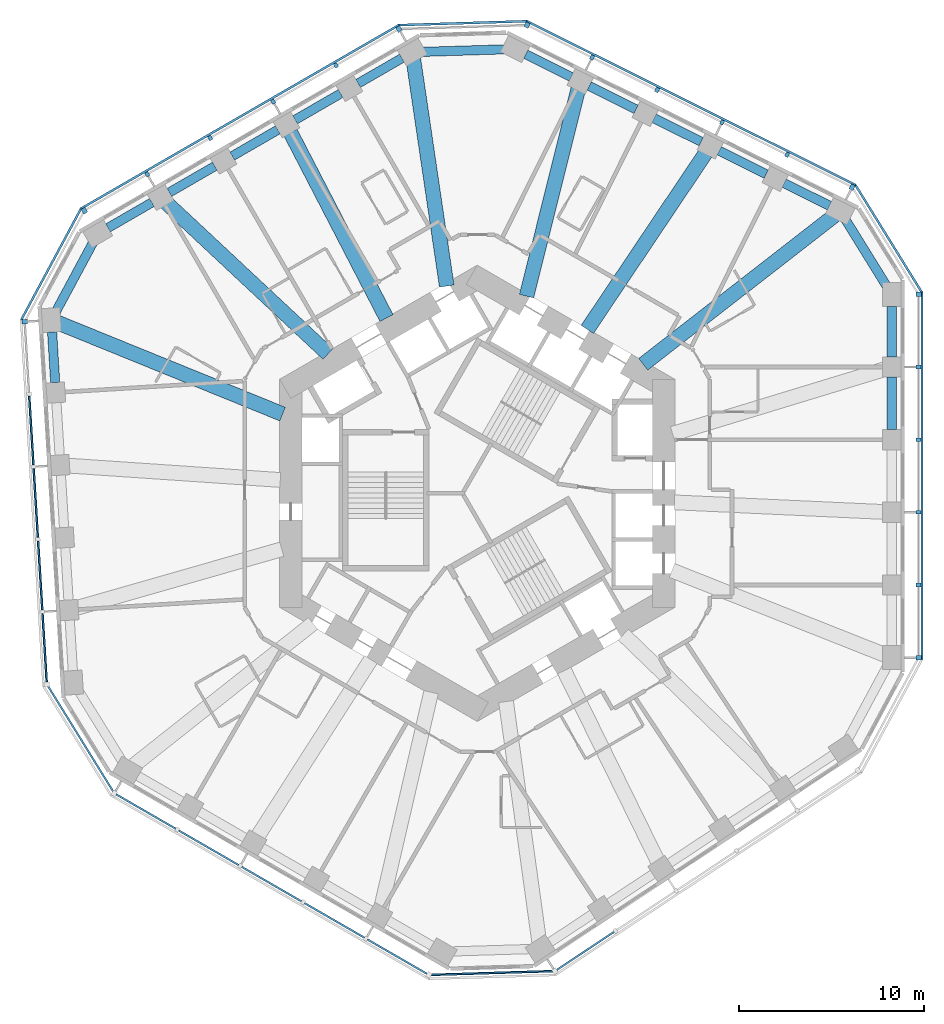
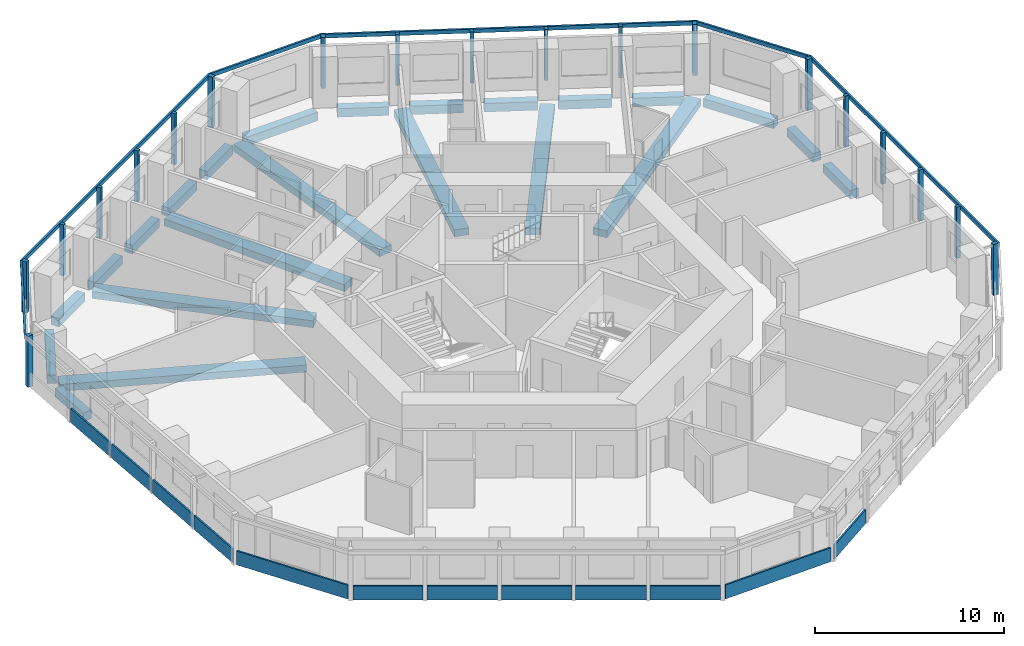
# One storey, part 2 of 12: 25 members, 23 beams, 12 plates, 11 elements without a shape of their own.
"""IFC4 building model written with IfcOpenShell, lengths in metres."""

from ifc_helpers import new_model, si_unit, direction, frame, origin, origin_2d, place, context, subcontext, project, spatial, rectangle, extrude, material, layer, layer_set, material_profile, profile_set, type_object, element, aggregate, save


model = new_model("IFC4")

# Units and contexts
model_context = context("Model", 3, precision=1e-05, world=origin(), true_north=direction((0.0, 1.0)))
body_context = subcontext(model_context, "Body", "Model", "MODEL_VIEW")
ifc_project = project(units=[si_unit("LENGTHUNIT", "METRE"), si_unit("AREAUNIT", "SQUARE_METRE"), si_unit("VOLUMEUNIT", "CUBIC_METRE"), si_unit("PLANEANGLEUNIT", "RADIAN"), si_unit("MASSUNIT", "GRAM", prefix="KILO")], contexts=[model_context])

# Site, building, storey
site_placement = place(None, origin())
site = spatial("IfcSite", under=ifc_project, at=site_placement, CompositionType="ELEMENT")
building_placement = place(site_placement, origin())
building = spatial("IfcBuilding", under=site, at=building_placement, Name="Vanh Sen Convention Tower", CompositionType="ELEMENT")
storey_placement = place(building_placement, frame((0.0, 0.0, 110.0)))
storey = spatial("IfcBuildingStorey", under=building, at=storey_placement, Name="L26", CompositionType="ELEMENT", Elevation=110.0)

# Curtain wall, members
ifc_material_1 = material(Name="Concrete C50/60", Category="concrete")
curtain_wall_type = type_object("IfcCurtainWallType", Name="Outer skin hotel zone", PredefinedType="NOTDEFINED", material=ifc_material_1)
curtain_wall_1_placement = place(storey_placement, origin())
curtain_wall_1 = element("IfcCurtainWall", 1, at=curtain_wall_1_placement, inside=storey, type_object=curtain_wall_type, Name="OUTER SKIN E L26", PredefinedType="NOTDEFINED")
ifc_material_profile_1 = material_profile(ifc_material_1, rectangle(XDim=0.25, YDim=0.300048828125, at=origin_2d()), Name="Outer skin precast corner fin 250 x 300")
ifc_profile_set_1 = profile_set([ifc_material_profile_1], Name="Concrete C50/60")
member_type_1 = type_object("IfcMemberType", Name="Outer skin precast corner fin 250 x 300", PredefinedType="MULLION", material=ifc_profile_set_1)
member_1_placement = place(storey_placement, frame((23.89990234375, -8.899169921875, 0.0), z_axis=(0.0, 0.0, 1.0), x_axis=(0.0, 1.0, 0.0)))
member_1 = element("IfcMember", 2, at=member_1_placement, type_object=member_type_1, Name="OUTER SKIN CORNER FIN 1 E L26", PredefinedType="MULLION", context=body_context, shape_type="SweptSolid", body=[
    extrude(rectangle(XDim=0.25, YDim=0.300048828125, at=origin_2d()), origin(), (0.0, 0.0, 1.0), 3.300048828125),
])
member_2_placement = place(storey_placement, frame((23.89990234375, 10.773681640625, 0.0), z_axis=(0.0, 0.0, 1.0), x_axis=(0.0, 1.0, 0.0)))
member_2 = element("IfcMember", 3, at=member_2_placement, type_object=member_type_1, Name="OUTER SKIN CORNER FIN 6 E L26", PredefinedType="MULLION", context=body_context, shape_type="SweptSolid", body=[
    extrude(rectangle(XDim=0.25, YDim=0.300048828125, at=origin_2d()), origin(), (0.0, 0.0, 1.0), 3.300048828125),
])

curtain_wall_2_placement = place(storey_placement, origin())
curtain_wall_2 = element("IfcCurtainWall", 4, at=curtain_wall_2_placement, inside=storey, type_object=curtain_wall_type, Name="OUTER SKIN NE L26", PredefinedType="NOTDEFINED")
member_3_placement = place(storey_placement, frame((20.305908203125, 16.581787109375, 0.0), z_axis=(0.0, 0.0, 1.0), x_axis=(-0.894934361602, 0.44619781311, 0.0)))
member_3 = element("IfcMember", 5, at=member_3_placement, type_object=member_type_1, Name="OUTER SKIN CORNER FIN 1 NE L26", PredefinedType="MULLION", context=body_context, shape_type="SweptSolid", body=[
    extrude(rectangle(XDim=0.25, YDim=0.300048828125, at=origin_2d()), origin(), (0.0, 0.0, 1.0), 3.300048828125),
])
member_4_placement = place(storey_placement, frame((2.699951171875, 25.35986328125, 0.0), z_axis=(0.0, 0.0, 1.0), x_axis=(-0.894934361602, 0.44619781311, 0.0)))
member_4 = element("IfcMember", 6, at=member_4_placement, type_object=member_type_1, Name="OUTER SKIN CORNER FIN 6 NE L26", PredefinedType="MULLION", context=body_context, shape_type="SweptSolid", body=[
    extrude(rectangle(XDim=0.25, YDim=0.300048828125, at=origin_2d()), origin(), (0.0, 0.0, 1.0), 3.300048828125),
])

curtain_wall_3_placement = place(storey_placement, origin())
curtain_wall_3 = element("IfcCurtainWall", 7, at=curtain_wall_3_placement, inside=storey, type_object=curtain_wall_type, Name="OUTER SKIN NW L26", PredefinedType="NOTDEFINED")
member_5_placement = place(storey_placement, frame((-4.242919921875, 25.147705078125, 0.0), z_axis=(0.0, 0.0, 1.0), x_axis=(-0.866025403784, -0.5, 0.0)))
member_5 = element("IfcMember", 8, at=member_5_placement, type_object=member_type_1, Name="OUTER SKIN CORNER FIN 1 NW L26", PredefinedType="MULLION", context=body_context, shape_type="SweptSolid", body=[
    extrude(rectangle(XDim=0.25, YDim=0.300048828125, at=origin_2d()), origin(), (0.0, 0.0, 1.0), 3.300048828125),
])
member_6_placement = place(storey_placement, frame((-21.2802734375, 15.31103515625, 0.0), z_axis=(0.0, 0.0, 1.0), x_axis=(-0.866025403784, -0.5, 0.0)))
member_6 = element("IfcMember", 9, at=member_6_placement, type_object=member_type_1, Name="OUTER SKIN CORNER FIN 6 NW L26", PredefinedType="MULLION", context=body_context, shape_type="SweptSolid", body=[
    extrude(rectangle(XDim=0.25, YDim=0.300048828125, at=origin_2d()), origin(), (0.0, 0.0, 1.0), 3.300048828125),
])

# Curtain wall, member
curtain_wall_4_placement = place(storey_placement, origin())
curtain_wall_4 = element("IfcCurtainWall", 10, at=curtain_wall_4_placement, inside=storey, type_object=curtain_wall_type, Name="OUTER SKIN W L26", PredefinedType="NOTDEFINED")
member_7_placement = place(storey_placement, frame((-24.51318359375, 9.294677734375, 0.0), z_axis=(0.0, 0.0, 1.0), x_axis=(0.061048539535, -0.998134798422, 0.0)))
member_7 = element("IfcMember", 11, at=member_7_placement, type_object=member_type_1, Name="OUTER SKIN CORNER FIN 1 W L26", PredefinedType="MULLION", context=body_context, shape_type="SweptSolid", body=[
    extrude(rectangle(XDim=0.25, YDim=0.300048828125, at=origin_2d()), origin(), (0.0, 0.0, 1.0), 3.300048828125),
])

# Member
ifc_material_profile_2 = material_profile(ifc_material_1, rectangle(XDim=0.199951171875, YDim=0.25, at=origin_2d()), Name="Outer skin precast fin 200 x 250")
ifc_profile_set_2 = profile_set([ifc_material_profile_2], Name="Concrete C50/60")
member_type_2 = type_object("IfcMemberType", Name="Outer skin precast fin 200 x 250", PredefinedType="MULLION", material=ifc_profile_set_2)
member_8_placement = place(storey_placement, frame((23.89990234375, -4.964599609375, 0.0), z_axis=(0.0, 0.0, 1.0), x_axis=(0.0, 1.0, 0.0)))
member_8 = element("IfcMember", 12, at=member_8_placement, type_object=member_type_2, Name="OUTER SKIN fin 2 E L26", PredefinedType="MULLION", context=body_context, shape_type="SweptSolid", body=[
    extrude(rectangle(XDim=0.199951171875, YDim=0.25, at=origin_2d()), origin(), (0.0, 0.0, 1.0), 3.300048828125),
])

member_9_placement = place(storey_placement, frame((23.89990234375, -1.030029296875, 0.0), z_axis=(0.0, 0.0, 1.0), x_axis=(0.0, 1.0, 0.0)))
member_9 = element("IfcMember", 13, at=member_9_placement, type_object=member_type_2, Name="OUTER SKIN fin 3 E L26", PredefinedType="MULLION", context=body_context, shape_type="SweptSolid", body=[
    extrude(rectangle(XDim=0.199951171875, YDim=0.25, at=origin_2d()), origin(), (0.0, 0.0, 1.0), 3.300048828125),
])

member_10_placement = place(storey_placement, frame((23.89990234375, 2.904541015625, 0.0), z_axis=(0.0, 0.0, 1.0), x_axis=(0.0, 1.0, 0.0)))
member_10 = element("IfcMember", 14, at=member_10_placement, type_object=member_type_2, Name="OUTER SKIN fin 4 E L26", PredefinedType="MULLION", context=body_context, shape_type="SweptSolid", body=[
    extrude(rectangle(XDim=0.199951171875, YDim=0.25, at=origin_2d()), origin(), (0.0, 0.0, 1.0), 3.300048828125),
])

member_11_placement = place(storey_placement, frame((23.89990234375, 6.839111328125, 0.0), z_axis=(0.0, 0.0, 1.0), x_axis=(0.0, 1.0, 0.0)))
member_11 = element("IfcMember", 15, at=member_11_placement, type_object=member_type_2, Name="OUTER SKIN fin 5 E L26", PredefinedType="MULLION", context=body_context, shape_type="SweptSolid", body=[
    extrude(rectangle(XDim=0.199951171875, YDim=0.25, at=origin_2d()), origin(), (0.0, 0.0, 1.0), 3.300048828125),
])

member_12_placement = place(storey_placement, frame((16.78466796875, 18.33740234375, 0.0), z_axis=(0.0, 0.0, 1.0), x_axis=(-0.894934361602, 0.44619781311, 0.0)))
member_12 = element("IfcMember", 16, at=member_12_placement, type_object=member_type_2, Name="OUTER SKIN fin 2 NE L26", PredefinedType="MULLION", context=body_context, shape_type="SweptSolid", body=[
    extrude(rectangle(XDim=0.199951171875, YDim=0.25, at=origin_2d()), origin(), (0.0, 0.0, 1.0), 3.300048828125),
])

member_13_placement = place(storey_placement, frame((13.263427734375, 20.093017578125, 0.0), z_axis=(0.0, 0.0, 1.0), x_axis=(-0.894934361602, 0.44619781311, 0.0)))
member_13 = element("IfcMember", 17, at=member_13_placement, type_object=member_type_2, Name="OUTER SKIN fin 3 NE L26", PredefinedType="MULLION", context=body_context, shape_type="SweptSolid", body=[
    extrude(rectangle(XDim=0.199951171875, YDim=0.25, at=origin_2d()), origin(), (0.0, 0.0, 1.0), 3.300048828125),
])

member_14_placement = place(storey_placement, frame((9.7421875, 21.8486328125, 0.0), z_axis=(0.0, 0.0, 1.0), x_axis=(-0.894934361602, 0.44619781311, 0.0)))
member_14 = element("IfcMember", 18, at=member_14_placement, type_object=member_type_2, Name="OUTER SKIN fin 4 NE L26", PredefinedType="MULLION", context=body_context, shape_type="SweptSolid", body=[
    extrude(rectangle(XDim=0.199951171875, YDim=0.25, at=origin_2d()), origin(), (0.0, 0.0, 1.0), 3.300048828125),
])

member_15_placement = place(storey_placement, frame((6.22119140625, 23.604248046875, 0.0), z_axis=(0.0, 0.0, 1.0), x_axis=(-0.894934361602, 0.44619781311, 0.0)))
member_15 = element("IfcMember", 19, at=member_15_placement, type_object=member_type_2, Name="OUTER SKIN fin 5 NE L26", PredefinedType="MULLION", context=body_context, shape_type="SweptSolid", body=[
    extrude(rectangle(XDim=0.199951171875, YDim=0.25, at=origin_2d()), origin(), (0.0, 0.0, 1.0), 3.300048828125),
])

member_16_placement = place(storey_placement, frame((-7.650390625, 23.180419921875, 0.0), z_axis=(0.0, 0.0, 1.0), x_axis=(-0.866025403784, -0.5, 0.0)))
member_16 = element("IfcMember", 20, at=member_16_placement, type_object=member_type_2, Name="OUTER SKIN fin 2 NW L26", PredefinedType="MULLION", context=body_context, shape_type="SweptSolid", body=[
    extrude(rectangle(XDim=0.199951171875, YDim=0.25, at=origin_2d()), origin(), (0.0, 0.0, 1.0), 3.300048828125),
])

member_17_placement = place(storey_placement, frame((-11.057861328125, 21.212890625, 0.0), z_axis=(0.0, 0.0, 1.0), x_axis=(-0.866025403784, -0.5, 0.0)))
member_17 = element("IfcMember", 21, at=member_17_placement, type_object=member_type_2, Name="OUTER SKIN fin 3 NW L26", PredefinedType="MULLION", context=body_context, shape_type="SweptSolid", body=[
    extrude(rectangle(XDim=0.199951171875, YDim=0.25, at=origin_2d()), origin(), (0.0, 0.0, 1.0), 3.300048828125),
])

member_18_placement = place(storey_placement, frame((-14.46533203125, 19.24560546875, 0.0), z_axis=(0.0, 0.0, 1.0), x_axis=(-0.866025403784, -0.5, 0.0)))
member_18 = element("IfcMember", 22, at=member_18_placement, type_object=member_type_2, Name="OUTER SKIN fin 4 NW L26", PredefinedType="MULLION", context=body_context, shape_type="SweptSolid", body=[
    extrude(rectangle(XDim=0.199951171875, YDim=0.25, at=origin_2d()), origin(), (0.0, 0.0, 1.0), 3.300048828125),
])

member_19_placement = place(storey_placement, frame((-17.872802734375, 17.2783203125, 0.0), z_axis=(0.0, 0.0, 1.0), x_axis=(-0.866025403784, -0.5, 0.0)))
member_19 = element("IfcMember", 23, at=member_19_placement, type_object=member_type_2, Name="OUTER SKIN fin 5 NW L26", PredefinedType="MULLION", context=body_context, shape_type="SweptSolid", body=[
    extrude(rectangle(XDim=0.199951171875, YDim=0.25, at=origin_2d()), origin(), (0.0, 0.0, 1.0), 3.300048828125),
])

ifc_material_profile_3 = material_profile(ifc_material_1, rectangle(XDim=0.1201171875, YDim=0.25, at=origin_2d()), Name="Outer skin precast spandrel band 250 x 120")
ifc_profile_set_3 = profile_set([ifc_material_profile_3], Name="Concrete C50/60")
member_type_3 = type_object("IfcMemberType", Name="Outer skin precast spandrel band 250 x 120", PredefinedType="USERDEFINED", material=ifc_profile_set_3)
member_20_placement = place(storey_placement, frame((24.0849609375, -9.024169921875, 3.175048828125), z_axis=(0.0, 1.0, 0.0), x_axis=(-1.0, 0.0, 0.0)))
member_20 = element("IfcMember", 24, at=member_20_placement, type_object=member_type_3, Name="OUTER SKIN spandrel band E L26", ObjectType="TRANSOM", PredefinedType="USERDEFINED", context=body_context, shape_type="SweptSolid", body=[
    extrude(rectangle(XDim=0.1201171875, YDim=0.25, at=origin_2d()), origin(), (0.0, 0.0, 1.0), 19.9228515625),
])

aggregate(curtain_wall_1, [member_1, member_8, member_9, member_10, member_11, member_2, member_20])

# Curtain wall, member
curtain_wall_5_placement = place(storey_placement, origin())
curtain_wall_5 = element("IfcCurtainWall", 25, at=curtain_wall_5_placement, inside=storey, type_object=curtain_wall_type, Name="OUTER SKIN CH1 L26", PredefinedType="NOTDEFINED")
member_21_placement = place(storey_placement, frame((24.07861328125, 10.88427734375, 3.175048828125), z_axis=(-0.526195864379, 0.850363400148, 0.0), x_axis=(-0.850363400148, -0.526195864379, 0.0)))
member_21 = element("IfcMember", 26, at=member_21_placement, type_object=member_type_3, Name="OUTER SKIN spandrel band CH1 L26", ObjectType="TRANSOM", PredefinedType="USERDEFINED", context=body_context, shape_type="SweptSolid", body=[
    extrude(rectangle(XDim=0.1201171875, YDim=0.25, at=origin_2d()), origin(), (0.0, 0.0, 1.0), 6.830078125),
])
aggregate(curtain_wall_5, [member_21])

# Member
member_22_placement = place(storey_placement, frame((20.500244140625, 16.69140625, 3.175048828125), z_axis=(-0.894931498167, 0.446203556227, 0.0), x_axis=(-0.446203556227, -0.894931498167, 0.0)))
member_22 = element("IfcMember", 27, at=member_22_placement, type_object=member_type_3, Name="OUTER SKIN spandrel band NE L26", ObjectType="TRANSOM", PredefinedType="USERDEFINED", context=body_context, shape_type="SweptSolid", body=[
    extrude(rectangle(XDim=0.1201171875, YDim=0.25, at=origin_2d()), origin(), (0.0, 0.0, 1.0), 19.9228515625),
])

aggregate(curtain_wall_2, [member_3, member_12, member_13, member_14, member_15, member_4, member_22])

# Curtain wall, member
curtain_wall_6_placement = place(storey_placement, origin())
curtain_wall_6 = element("IfcCurtainWall", 28, at=curtain_wall_6_placement, inside=storey, type_object=curtain_wall_type, Name="OUTER SKIN CH2 L26", PredefinedType="NOTDEFINED")
member_23_placement = place(storey_placement, frame((2.693603515625, 25.569580078125, 3.175048828125), z_axis=(-0.999533472857, -0.030542374483, 0.0), x_axis=(0.030542374483, -0.999533472857, 0.0)))
member_23 = element("IfcMember", 29, at=member_23_placement, type_object=member_type_3, Name="OUTER SKIN spandrel band CH2 L26", ObjectType="TRANSOM", PredefinedType="USERDEFINED", context=body_context, shape_type="SweptSolid", body=[
    extrude(rectangle(XDim=0.1201171875, YDim=0.25, at=origin_2d()), origin(), (0.0, 0.0, 1.0), 6.9462890625),
])
aggregate(curtain_wall_6, [member_23])

# Member
member_24_placement = place(storey_placement, frame((-4.227294921875, 25.370361328125, 3.175048828125), z_axis=(-0.866028047459, -0.499995420993, 0.0), x_axis=(0.499995420993, -0.866028047459, 0.0)))
member_24 = element("IfcMember", 30, at=member_24_placement, type_object=member_type_3, Name="OUTER SKIN spandrel band NW L26", ObjectType="TRANSOM", PredefinedType="USERDEFINED", context=body_context, shape_type="SweptSolid", body=[
    extrude(rectangle(XDim=0.1201171875, YDim=0.25, at=origin_2d()), origin(), (0.0, 0.0, 1.0), 19.923095703125),
])

aggregate(curtain_wall_3, [member_5, member_16, member_17, member_18, member_19, member_6, member_24])

# Curtain wall, member
curtain_wall_7_placement = place(storey_placement, origin())
curtain_wall_7 = element("IfcCurtainWall", 31, at=curtain_wall_7_placement, inside=storey, type_object=curtain_wall_type, Name="OUTER SKIN CH3 L26", PredefinedType="NOTDEFINED")
member_25_placement = place(storey_placement, frame((-21.46533203125, 15.410400390625, 3.175048828125), z_axis=(-0.473315186561, -0.880893145717, 0.0), x_axis=(0.880893145717, -0.473315186561, 0.0)))
member_25 = element("IfcMember", 32, at=member_25_placement, type_object=member_type_3, Name="OUTER SKIN spandrel band CH3 L26", ObjectType="TRANSOM", PredefinedType="USERDEFINED", context=body_context, shape_type="SweptSolid", body=[
    extrude(rectangle(XDim=0.1201171875, YDim=0.25, at=origin_2d()), origin(), (0.0, 0.0, 1.0), 6.829833984375),
])
aggregate(curtain_wall_7, [member_25])

# Beams
ifc_material_2 = material(Name="Concrete C50/60", Category="concrete")
ifc_material_profile_4 = material_profile(ifc_material_2, rectangle(XDim=0.800048828125, YDim=0.449951171875, at=origin_2d()), Name="RC 800X450")
ifc_profile_set_4 = profile_set([ifc_material_profile_4], Name="Concrete C50/60")
beam_type_1 = type_object("IfcBeamType", Name="Radial floor beam 800 x 450", PredefinedType="BEAM", material=ifc_profile_set_4)
beam_1_placement = place(storey_placement, frame((19.376708984375, 15.064697265625, -0.47509765625), z_axis=(-0.789479064473, -0.613777489616, 0.0), x_axis=(0.613777489616, -0.789479064473, 0.0)))
element("IfcBeam", 33, at=beam_1_placement, inside=storey, type_object=beam_type_1, Name="Radial beam 04 L26", PredefinedType="BEAM", context=body_context, shape_type="SweptSolid", body=[
    extrude(rectangle(XDim=0.800048828125, YDim=0.449951171875, at=origin_2d()), origin(), (0.0, 0.0, 1.0), 13.16015625),
])
beam_2_placement = place(storey_placement, frame((12.3671875, 18.423828125, -0.47509765625), z_axis=(-0.557338631, -0.830285282536, 0.0), x_axis=(0.830285282536, -0.557338631, 0.0)))
element("IfcBeam", 34, at=beam_2_placement, inside=storey, type_object=beam_type_1, Name="Radial beam 05 L26", PredefinedType="BEAM", context=body_context, shape_type="SweptSolid", body=[
    extrude(rectangle(XDim=0.800048828125, YDim=0.449951171875, at=origin_2d()), origin(), (0.0, 0.0, 1.0), 11.497314453125),
])
beam_3_placement = place(storey_placement, frame((5.47265625, 21.900390625, -0.47509765625), z_axis=(-0.242436270236, -0.97016733344, 0.0), x_axis=(0.97016733344, -0.242436270236, 0.0)))
element("IfcBeam", 35, at=beam_3_placement, inside=storey, type_object=beam_type_1, Name="Radial beam 06 L26", PredefinedType="BEAM", context=body_context, shape_type="SweptSolid", body=[
    extrude(rectangle(XDim=0.800048828125, YDim=0.449951171875, at=origin_2d()), origin(), (0.0, 0.0, 1.0), 11.563720703125),
])
beam_4_placement = place(storey_placement, frame((-3.46337890625, 23.521484375, -0.47509765625), z_axis=(0.145674386683, -0.989332589711, 0.0), x_axis=(0.989332589711, 0.145674386683, 0.0)))
element("IfcBeam", 36, at=beam_4_placement, inside=storey, type_object=beam_type_1, Name="Radial beam 07 L26", PredefinedType="BEAM", context=body_context, shape_type="SweptSolid", body=[
    extrude(rectangle(XDim=0.800048828125, YDim=0.449951171875, at=origin_2d()), origin(), (0.0, 0.0, 1.0), 12.4287109375),
])
beam_5_placement = place(storey_placement, frame((-10.113525390625, 19.53369140625, -0.47509765625), z_axis=(0.459777032111, -0.888034391644, 0.0), x_axis=(0.888034391644, 0.459777032111, 0.0)))
element("IfcBeam", 37, at=beam_5_placement, inside=storey, type_object=beam_type_1, Name="Radial beam 08 L26", PredefinedType="BEAM", context=body_context, shape_type="SweptSolid", body=[
    extrude(rectangle(XDim=0.800048828125, YDim=0.449951171875, at=origin_2d()), origin(), (0.0, 0.0, 1.0), 11.30859375),
])
beam_6_placement = place(storey_placement, frame((-16.858642578125, 15.75244140625, -0.47509765625), z_axis=(0.730678761729, -0.6827214272, 0.0), x_axis=(0.6827214272, 0.730678761729, 0.0)))
element("IfcBeam", 38, at=beam_6_placement, inside=storey, type_object=beam_type_1, Name="Radial beam 09 L26", PredefinedType="BEAM", context=body_context, shape_type="SweptSolid", body=[
    extrude(rectangle(XDim=0.800048828125, YDim=0.449951171875, at=origin_2d()), origin(), (0.0, 0.0, 1.0), 12.01416015625),
])
beam_7_placement = place(storey_placement, frame((-22.734619140625, 9.248291015625, -0.47509765625), z_axis=(0.926292218259, -0.376805953236, 0.0), x_axis=(0.376805953236, 0.926292218259, 0.0)))
element("IfcBeam", 39, at=beam_7_placement, inside=storey, type_object=beam_type_1, Name="Radial beam 10 L26", PredefinedType="BEAM", context=body_context, shape_type="SweptSolid", body=[
    extrude(rectangle(XDim=0.800048828125, YDim=0.449951171875, at=origin_2d()), origin(), (0.0, 0.0, 1.0), 13.159912109375),
])
ifc_material_profile_5 = material_profile(ifc_material_2, rectangle(XDim=0.5, YDim=0.550048828125, at=origin_2d()), Name="RC 500X550")
ifc_profile_set_5 = profile_set([ifc_material_profile_5], Name="Concrete C50/60")
beam_type_2 = type_object("IfcBeamType", Name="Spandrel beam 500 x 550", PredefinedType="SPANDREL", material=ifc_profile_set_5)
beam_8_placement = place(storey_placement, frame((22.449951171875, 3.449462890625, -0.52490234375), z_axis=(0.0, 1.0, 0.0), x_axis=(-1.0, 0.0, 0.0)))
element("IfcBeam", 40, at=beam_8_placement, inside=storey, type_object=beam_type_2, Name="Spandrel beam 04 L26", PredefinedType="SPANDREL", context=body_context, shape_type="SweptSolid", body=[
    extrude(rectangle(XDim=0.5, YDim=0.550048828125, at=origin_2d()), origin(), (0.0, 0.0, 1.0), 2.8447265625),
])
beam_9_placement = place(storey_placement, frame((22.449951171875, 7.384033203125, -0.52490234375), z_axis=(0.0, 1.0, 0.0), x_axis=(-1.0, 0.0, 0.0)))
element("IfcBeam", 41, at=beam_9_placement, inside=storey, type_object=beam_type_2, Name="Spandrel beam 05 L26", PredefinedType="SPANDREL", context=body_context, shape_type="SweptSolid", body=[
    extrude(rectangle(XDim=0.5, YDim=0.550048828125, at=origin_2d()), origin(), (0.0, 0.0, 1.0), 2.74462890625),
])
beam_10_placement = place(storey_placement, frame((22.165283203125, 11.23388671875, -0.52490234375), z_axis=(-0.526225208879, 0.850345241381, 0.0), x_axis=(-0.850345241381, -0.526225208879, 0.0)))
element("IfcBeam", 42, at=beam_10_placement, inside=storey, type_object=beam_type_2, Name="Spandrel beam 06 L26", PredefinedType="SPANDREL", context=body_context, shape_type="SweptSolid", body=[
    extrude(rectangle(XDim=0.5, YDim=0.550048828125, at=origin_2d()), origin(), (0.0, 0.0, 1.0), 4.221923828125),
])
beam_11_placement = place(storey_placement, frame((19.081787109375, 15.572021484375, -0.52490234375), z_axis=(-0.894978032936, 0.446110211229, 0.0), x_axis=(-0.446110211229, -0.894978032936, 0.0)))
element("IfcBeam", 43, at=beam_11_placement, inside=storey, type_object=beam_type_2, Name="Spandrel beam 07 L26", PredefinedType="SPANDREL", context=body_context, shape_type="SweptSolid", body=[
    extrude(rectangle(XDim=0.5, YDim=0.550048828125, at=origin_2d()), origin(), (0.0, 0.0, 1.0), 2.74462890625),
])
beam_12_placement = place(storey_placement, frame((15.64990234375, 17.282958984375, -0.52490234375), z_axis=(-0.894958709308, 0.44614897583, 0.0), x_axis=(-0.44614897583, -0.894958709308, 0.0)))
element("IfcBeam", 44, at=beam_12_placement, inside=storey, type_object=beam_type_2, Name="Spandrel beam 08 L26", PredefinedType="SPANDREL", context=body_context, shape_type="SweptSolid", body=[
    extrude(rectangle(XDim=0.5, YDim=0.550048828125, at=origin_2d()), origin(), (0.0, 0.0, 1.0), 2.844482421875),
])
for number, where, z_axis, x_axis, name in (
    (45, (12.12890625, 19.03857421875, -0.52490234375), (-0.894975791885, 0.446114707155, 0.0), (-0.446114707155, -0.894975791885, 0.0), "Spandrel beam 09 L26"),
    (46, (8.607666015625, 20.794189453125, -0.52490234375), (-0.894975791885, 0.446114707155, 0.0), (-0.446114707155, -0.894975791885, 0.0), "Spandrel beam 10 L26"),
):
    element("IfcBeam", number, at=place(storey_placement, frame(where, z_axis=z_axis, x_axis=x_axis)), inside=storey, type_object=beam_type_2, Name=name, PredefinedType="SPANDREL", context=body_context, shape_type="SweptSolid", body=[
        extrude(rectangle(XDim=0.5, YDim=0.550048828125, at=origin_2d()), origin(), (0.0, 0.0, 1.0), 2.8447265625),
    ])
beam_13_placement = place(storey_placement, frame((5.08642578125, 22.5498046875, -0.52490234375), z_axis=(-0.894942515368, 0.44618145881, 0.0), x_axis=(-0.44618145881, -0.894942515368, 0.0)))
element("IfcBeam", 47, at=beam_13_placement, inside=storey, type_object=beam_type_2, Name="Spandrel beam 11 L26", PredefinedType="SPANDREL", context=body_context, shape_type="SweptSolid", body=[
    extrude(rectangle(XDim=0.5, YDim=0.550048828125, at=origin_2d()), origin(), (0.0, 0.0, 1.0), 2.74462890625),
])
beam_14_placement = place(storey_placement, frame((1.467041015625, 24.044189453125, -0.52490234375), z_axis=(-0.999534488219, -0.030509127505, 0.0), x_axis=(0.030509127505, -0.999534488219, 0.0)))
element("IfcBeam", 48, at=beam_14_placement, inside=storey, type_object=beam_type_2, Name="Spandrel beam 12 L26", PredefinedType="SPANDREL", context=body_context, shape_type="SweptSolid", body=[
    extrude(rectangle(XDim=0.5, YDim=0.550048828125, at=origin_2d()), origin(), (0.0, 0.0, 1.0), 4.401123046875),
])
beam_15_placement = place(storey_placement, frame((-4.07666015625, 23.5693359375, -0.52490234375), z_axis=(-0.866028570666, -0.499994514761, 0.0), x_axis=(0.499994514761, -0.866028570666, 0.0)))
element("IfcBeam", 49, at=beam_15_placement, inside=storey, type_object=beam_type_2, Name="Spandrel beam 13 L26", PredefinedType="SPANDREL", context=body_context, shape_type="SweptSolid", body=[
    extrude(rectangle(XDim=0.5, YDim=0.550048828125, at=origin_2d()), origin(), (0.0, 0.0, 1.0), 2.74462890625),
])
for number, where, z_axis, x_axis, name in (
    (50, (-7.3974609375, 21.652099609375, -0.52490234375), (-0.866005490874, -0.500034488586, 0.0), (0.500034488586, -0.866005490874, 0.0), "Spandrel beam 14 L26"),
    (51, (-10.804931640625, 19.684814453125, -0.52490234375), (-0.866005490874, -0.500034488586, 0.0), (0.500034488586, -0.866005490874, 0.0), "Spandrel beam 15 L26"),
    (52, (-14.21240234375, 17.717529296875, -0.52490234375), (-0.866005490874, -0.500034488586, 0.0), (0.500034488586, -0.866005490874, 0.0), "Spandrel beam 16 L26"),
):
    element("IfcBeam", number, at=place(storey_placement, frame(where, z_axis=z_axis, x_axis=x_axis)), inside=storey, type_object=beam_type_2, Name=name, PredefinedType="SPANDREL", context=body_context, shape_type="SweptSolid", body=[
        extrude(rectangle(XDim=0.5, YDim=0.550048828125, at=origin_2d()), origin(), (0.0, 0.0, 1.0), 2.844482421875),
    ])
beam_16_placement = place(storey_placement, frame((-17.619873046875, 15.750244140625, -0.52490234375), z_axis=(-0.866006330792, -0.500033033937, 0.0), x_axis=(0.500033033937, -0.866006330792, 0.0)))
element("IfcBeam", 53, at=beam_16_placement, inside=storey, type_object=beam_type_2, Name="Spandrel beam 17 L26", PredefinedType="SPANDREL", context=body_context, shape_type="SweptSolid", body=[
    extrude(rectangle(XDim=0.5, YDim=0.550048828125, at=origin_2d()), origin(), (0.0, 0.0, 1.0), 2.744384765625),
])
beam_17_placement = place(storey_placement, frame((-20.811279296875, 13.57861328125, -0.52490234375), z_axis=(-0.473344400705, -0.880877447958, 0.0), x_axis=(0.880877447958, -0.473344400705, 0.0)))
element("IfcBeam", 54, at=beam_17_placement, inside=storey, type_object=beam_type_2, Name="Spandrel beam 18 L26", PredefinedType="SPANDREL", context=body_context, shape_type="SweptSolid", body=[
    extrude(rectangle(XDim=0.5, YDim=0.550048828125, at=origin_2d()), origin(), (0.0, 0.0, 1.0), 4.2216796875),
])
beam_18_placement = place(storey_placement, frame((-23.0263671875, 8.7392578125, -0.52490234375), z_axis=(0.061021442686, -0.998136455367, 0.0), x_axis=(0.998136455367, 0.061021442686, 0.0)))
element("IfcBeam", 55, at=beam_18_placement, inside=storey, type_object=beam_type_2, Name="Spandrel beam 19 L26", PredefinedType="SPANDREL", context=body_context, shape_type="SweptSolid", body=[
    extrude(rectangle(XDim=0.5, YDim=0.550048828125, at=origin_2d()), origin(), (0.0, 0.0, 1.0), 2.74462890625),
])

# Plate
ifc_layer = layer(ifc_material_1, 0.10009765625)
ifc_layer_set = layer_set([ifc_layer], Name="Concrete C50/60")
plate_type = type_object("IfcPlateType", Name="Outer skin precast screen panel 100", PredefinedType="CURTAIN_PANEL", material=ifc_layer_set)
plate_1_placement = place(storey_placement, frame((-24.15283203125, 3.40380859375, 0.0), z_axis=(0.0, 0.0, 1.0), x_axis=(0.061048539535, -0.998134798422, 0.0)))
plate_1 = element("IfcPlate", 56, at=plate_1_placement, type_object=plate_type, Name="OUTER SKIN screen panel W-2", PredefinedType="CURTAIN_PANEL", context=body_context, shape_type="SweptSolid", body=[
    extrude(rectangle(XDim=3.734619140625, YDim=0.10009765625, at=origin_2d()), origin(), (0.0, 0.0, 1.0), 0.89990234375),
])

plate_2_placement = place(storey_placement, frame((-23.91259765625, -0.523681640625, 0.0), z_axis=(0.0, 0.0, 1.0), x_axis=(0.061046797461, -0.99813490497, 0.0)))
plate_2 = element("IfcPlate", 57, at=plate_2_placement, type_object=plate_type, Name="OUTER SKIN screen panel W-3", PredefinedType="CURTAIN_PANEL", context=body_context, shape_type="SweptSolid", body=[
    extrude(rectangle(XDim=3.734619140625, YDim=0.10009765625, at=origin_2d()), origin(), (0.0, 0.0, 1.0), 0.89990234375),
])

plate_3_placement = place(storey_placement, frame((-23.67236328125, -4.45068359375, 0.0), z_axis=(0.0, 0.0, 1.0), x_axis=(0.061048539535, -0.998134798422, 0.0)))
plate_3 = element("IfcPlate", 58, at=plate_3_placement, type_object=plate_type, Name="OUTER SKIN screen panel W-4", PredefinedType="CURTAIN_PANEL", context=body_context, shape_type="SweptSolid", body=[
    extrude(rectangle(XDim=3.734619140625, YDim=0.10009765625, at=origin_2d()), origin(), (0.0, 0.0, 1.0), 0.89990234375),
])

plate_4_placement = place(storey_placement, frame((-23.43310546875, -8.365478515625, 0.0), z_axis=(0.0, 0.0, 1.0), x_axis=(0.061046797461, -0.99813490497, 0.0)))
plate_4 = element("IfcPlate", 59, at=plate_4_placement, type_object=plate_type, Name="OUTER SKIN screen panel W-5", PredefinedType="CURTAIN_PANEL", context=body_context, shape_type="SweptSolid", body=[
    extrude(rectangle(XDim=3.709716796875, YDim=0.10009765625, at=origin_2d()), origin(), (0.0, 0.0, 1.0), 0.89990234375),
])

aggregate(curtain_wall_4, [member_7, plate_1, plate_2, plate_3, plate_4])

# Curtain wall, plate
curtain_wall_8_placement = place(storey_placement, origin())
curtain_wall_8 = element("IfcCurtainWall", 60, at=curtain_wall_8_placement, inside=storey, type_object=curtain_wall_type, Name="OUTER SKIN CH4 L26", PredefinedType="NOTDEFINED")
plate_5_placement = place(storey_placement, frame((-21.484619140625, -13.295166015625, 0.0), z_axis=(0.0, 0.0, 1.0), x_axis=(0.526205018755, -0.850357735448, 0.0)))
plate_5 = element("IfcPlate", 61, at=plate_5_placement, type_object=plate_type, Name="OUTER SKIN screen panel CH4-1", PredefinedType="CURTAIN_PANEL", context=body_context, shape_type="SweptSolid", body=[
    extrude(rectangle(XDim=6.6962890625, YDim=0.10009765625, at=origin_2d()), origin(), (0.0, 0.0, 1.0), 0.89990234375),
])
aggregate(curtain_wall_8, [plate_5])

# Curtain wall, plates
curtain_wall_9_placement = place(storey_placement, origin())
curtain_wall_9 = element("IfcCurtainWall", 62, at=curtain_wall_9_placement, inside=storey, type_object=curtain_wall_type, Name="OUTER SKIN SW L26", PredefinedType="NOTDEFINED")
plate_6_placement = place(storey_placement, frame((-17.9423828125, -17.23828125, 0.0), z_axis=(0.0, 0.0, 1.0), x_axis=(0.866028021766, -0.499995465495, 0.0)))
plate_6 = element("IfcPlate", 63, at=plate_6_placement, type_object=plate_type, Name="OUTER SKIN screen panel SW-1", PredefinedType="CURTAIN_PANEL", context=body_context, shape_type="SweptSolid", body=[
    extrude(rectangle(XDim=3.709716796875, YDim=0.10009765625, at=origin_2d()), origin(), (0.0, 0.0, 1.0), 0.89990234375),
])
plate_7_placement = place(storey_placement, frame((-14.5458984375, -19.19921875, 0.0), z_axis=(0.0, 0.0, 1.0), x_axis=(0.866032385017, -0.499987907955, 0.0)))
plate_7 = element("IfcPlate", 64, at=plate_7_placement, type_object=plate_type, Name="OUTER SKIN screen panel SW-2", PredefinedType="CURTAIN_PANEL", context=body_context, shape_type="SweptSolid", body=[
    extrude(rectangle(XDim=3.734619140625, YDim=0.10009765625, at=origin_2d()), origin(), (0.0, 0.0, 1.0), 0.89990234375),
])
plate_8_placement = place(storey_placement, frame((-11.138427734375, -21.16650390625, 0.0), z_axis=(0.0, 0.0, 1.0), x_axis=(0.866028021766, -0.499995465495, 0.0)))
plate_8 = element("IfcPlate", 65, at=plate_8_placement, type_object=plate_type, Name="OUTER SKIN screen panel SW-3", PredefinedType="CURTAIN_PANEL", context=body_context, shape_type="SweptSolid", body=[
    extrude(rectangle(XDim=3.734619140625, YDim=0.10009765625, at=origin_2d()), origin(), (0.0, 0.0, 1.0), 0.89990234375),
])
plate_9_placement = place(storey_placement, frame((-7.73095703125, -23.1337890625, 0.0), z_axis=(0.0, 0.0, 1.0), x_axis=(0.866028021766, -0.499995465495, 0.0)))
plate_9 = element("IfcPlate", 66, at=plate_9_placement, type_object=plate_type, Name="OUTER SKIN screen panel SW-4", PredefinedType="CURTAIN_PANEL", context=body_context, shape_type="SweptSolid", body=[
    extrude(rectangle(XDim=3.734619140625, YDim=0.10009765625, at=origin_2d()), origin(), (0.0, 0.0, 1.0), 0.89990234375),
])
plate_10_placement = place(storey_placement, frame((-4.334228515625, -25.094970703125, 0.0), z_axis=(0.0, 0.0, 1.0), x_axis=(0.866021040428, -0.500007557478, 0.0)))
plate_10 = element("IfcPlate", 67, at=plate_10_placement, type_object=plate_type, Name="OUTER SKIN screen panel SW-5", PredefinedType="CURTAIN_PANEL", context=body_context, shape_type="SweptSolid", body=[
    extrude(rectangle(XDim=3.70947265625, YDim=0.10009765625, at=origin_2d()), origin(), (0.0, 0.0, 1.0), 0.89990234375),
])
aggregate(curtain_wall_9, [plate_6, plate_7, plate_8, plate_9, plate_10])

# Curtain wall, plate
curtain_wall_10_placement = place(storey_placement, origin())
curtain_wall_10 = element("IfcCurtainWall", 68, at=curtain_wall_10_placement, inside=storey, type_object=curtain_wall_type, Name="OUTER SKIN CH5 L26", PredefinedType="NOTDEFINED")
plate_11_placement = place(storey_placement, frame((0.793701171875, -25.98046875, 0.0), z_axis=(0.0, 0.0, 1.0), x_axis=(0.999533484231, 0.03054200224, 0.0)))
plate_11 = element("IfcPlate", 69, at=plate_11_placement, type_object=plate_type, Name="OUTER SKIN screen panel CH5-1", PredefinedType="CURTAIN_PANEL", context=body_context, shape_type="SweptSolid", body=[
    extrude(rectangle(XDim=6.580078125, YDim=0.10009765625, at=origin_2d()), origin(), (0.0, 0.0, 1.0), 0.89990234375),
])
aggregate(curtain_wall_10, [plate_11])

curtain_wall_11_placement = place(storey_placement, origin())
curtain_wall_11 = element("IfcCurtainWall", 70, at=curtain_wall_11_placement, inside=storey, type_object=curtain_wall_type, Name="OUTER SKIN SE L26", PredefinedType="NOTDEFINED")
plate_12_placement = place(storey_placement, frame((5.858154296875, -24.783447265625, 0.0), z_axis=(0.0, 0.0, 1.0), x_axis=(0.833891601892, 0.55192825285, 0.0)))
plate_12 = element("IfcPlate", 71, at=plate_12_placement, type_object=plate_type, Name="OUTER SKIN screen panel SE-1", PredefinedType="CURTAIN_PANEL", context=body_context, shape_type="SweptSolid", body=[
    extrude(rectangle(XDim=3.709716796875, YDim=0.10009765625, at=origin_2d()), origin(), (0.0, 0.0, 1.0), 0.89990234375),
])
aggregate(curtain_wall_11, [plate_12])

save(model, "model.ifc")
